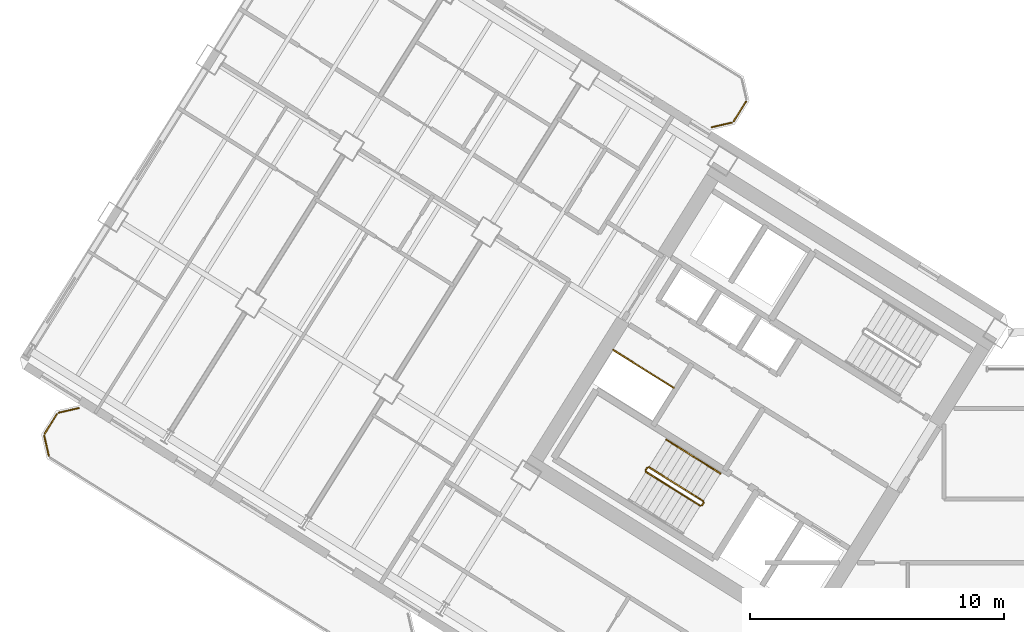
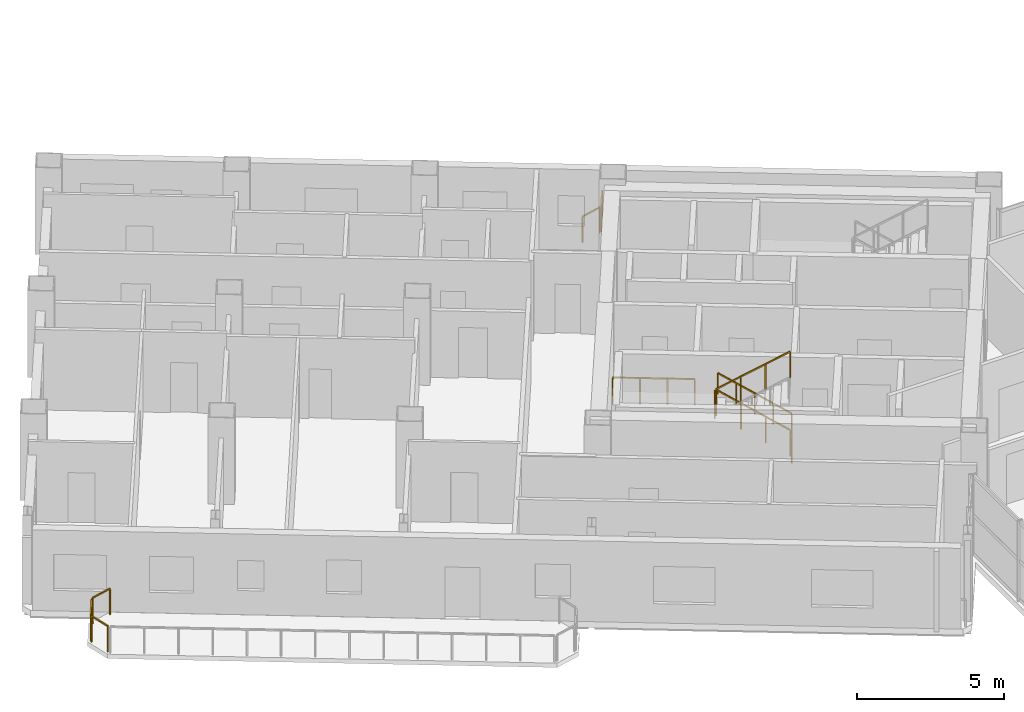
# One storey, part 23 of 25: 12 railings.
"""IFC4 building model written with IfcOpenShell, lengths in metres."""

from ifc_helpers import new_model, si_unit, direction, frame, origin, origin_2d, place, context, subcontext, project, spatial, rectangle, extrude, source, transform, mapped, material, type_object, element, save


model = new_model("IFC4")

# Units and contexts
model_context = context("Model", 3, precision=1e-05, world=origin(), true_north=direction((0.0, 1.0)))
body_context = subcontext(model_context, "Body", "Model", "MODEL_VIEW")
ifc_project = project(units=[si_unit("LENGTHUNIT", "METRE"), si_unit("AREAUNIT", "SQUARE_METRE"), si_unit("VOLUMEUNIT", "CUBIC_METRE"), si_unit("PLANEANGLEUNIT", "RADIAN"), si_unit("MASSUNIT", "GRAM", prefix="KILO")], contexts=[model_context])

# Site, building, storey
site_placement = place(None, origin())
site = spatial("IfcSite", under=ifc_project, at=site_placement, CompositionType="ELEMENT")
building_placement = place(site_placement, origin())
building = spatial("IfcBuilding", under=site, at=building_placement, Name="Tlacorven Tower", CompositionType="ELEMENT")
storey_placement = place(building_placement, frame((0.0, 0.0, 162.300048828125)))
storey = spatial("IfcBuildingStorey", under=building, at=storey_placement, Name="L41", CompositionType="ELEMENT", Elevation=162.300048828125)

# Railings
ifc_material = material(Name="Aluminium and painted steel balustrade", Category="steel")
railing_type_1 = type_object("IfcRailingType", Name="RL-GRD-1100", PredefinedType="GUARDRAIL", material=ifc_material)
shared_shape_1 = source(origin(), body_context, "Body", "SweptSolid", [
    extrude(rectangle(XDim=0.048095703125, YDim=0.048095703125, at=origin_2d()), frame((0.0, 0.0, 1.076171875), z_axis=(-0.848091358275, 0.529850024081, 0.0), x_axis=(-0.529850024081, -0.848091358275, 0.0)), (0.0, 0.0, 1.0), 2.800048828125),
    extrude(rectangle(XDim=0.0419921875, YDim=0.0419921875, at=origin_2d()), origin(), (0.0, 0.0, 1.0), 1.052001953125),
    extrude(rectangle(XDim=0.0419921875, YDim=0.0419921875, at=origin_2d()), frame((-0.79150390625, 0.49462890625, 0.0)), (0.0, 0.0, 1.0), 1.052001953125),
    extrude(rectangle(XDim=0.0419921875, YDim=0.0419921875, at=origin_2d()), frame((-1.583251953125, 0.989013671875, 0.0)), (0.0, 0.0, 1.0), 1.052001953125),
    extrude(rectangle(XDim=0.0419921875, YDim=0.0419921875, at=origin_2d()), frame((-2.374755859375, 1.483642578125, 0.0)), (0.0, 0.0, 1.0), 1.052001953125),
])
railing_1_placement = place(storey_placement, frame((27.9912109375, 22.32080078125, 0.0)))
element("IfcRailing", 1, at=railing_1_placement, inside=storey, type_object=railing_type_1, Name="L41 Electrical Riser W Shaft Guard 1", PredefinedType="GUARDRAIL", context=body_context, shape_type="MappedRepresentation", body=[
    mapped(shared_shape_1, transform((0.0, 0.0, 0.0), scale=1.0)),
])
railing_type_2 = type_object("IfcRailingType", Name="RL-BAL-1100", PredefinedType="BALUSTRADE", material=ifc_material)
shared_shape_2 = source(origin(), body_context, "Body", "SweptSolid", [
    extrude(rectangle(XDim=0.048095703125, YDim=0.048095703125, at=origin_2d()), frame((0.0, 0.0, 1.076171875), z_axis=(-0.52987865805, -0.848073468364, 0.0), x_axis=(0.848073468364, -0.52987865805, 0.0)), (0.0, 0.0, 1.0), 0.912353515625),
    extrude(rectangle(XDim=0.0419921875, YDim=0.0419921875, at=origin_2d()), origin(), (0.0, 0.0, 1.0), 1.052001953125),
    extrude(rectangle(XDim=0.0419921875, YDim=0.0419921875, at=origin_2d()), frame((-0.4833984375, -0.773681640625, 0.0)), (0.0, 0.0, 1.0), 1.052001953125),
])
railing_2_placement = place(storey_placement, frame((30.845947265625, 33.588623046875, 0.0)))
element("IfcRailing", 2, at=railing_2_placement, inside=storey, type_object=railing_type_2, Name="BAL-L41-W-IN Guard Railing 2", PredefinedType="BALUSTRADE", context=body_context, shape_type="MappedRepresentation", body=[
    mapped(shared_shape_2, transform((0.0, 0.0, 0.0), scale=1.0)),
])
shared_shape_3 = source(origin(), body_context, "Body", "SweptSolid", [
    extrude(rectangle(XDim=0.048095703125, YDim=0.048095703125, at=origin_2d()), frame((0.0, 0.0, 1.076171875), z_axis=(-0.225058334816, 0.974345290916, 0.0), x_axis=(-0.974345290916, -0.225058334816, 0.0)), (0.0, 0.0, 1.0), 0.80712890625),
    extrude(rectangle(XDim=0.0419921875, YDim=0.0419921875, at=origin_2d()), origin(), (0.0, 0.0, 1.0), 1.052001953125),
    extrude(rectangle(XDim=0.0419921875, YDim=0.0419921875, at=origin_2d()), frame((-0.181640625, 0.786376953125, 0.0)), (0.0, 0.0, 1.0), 1.052001953125),
])
railing_3_placement = place(storey_placement, frame((3.380859375, 19.62841796875, 0.0)))
element("IfcRailing", 3, at=railing_3_placement, inside=storey, type_object=railing_type_2, Name="BAL-L41-W-OUT Guard Railing 5", PredefinedType="BALUSTRADE", context=body_context, shape_type="MappedRepresentation", body=[
    mapped(shared_shape_3, transform((0.0, 0.0, 0.0), scale=1.0)),
])
shared_shape_4 = source(origin(), body_context, "Body", "SweptSolid", [
    extrude(rectangle(XDim=0.048095703125, YDim=0.048095703125, at=origin_2d()), frame((0.0, 0.0, 1.076171875), z_axis=(0.52987865805, 0.848073468364, 0.0), x_axis=(-0.848073468364, 0.52987865805, 0.0)), (0.0, 0.0, 1.0), 0.912353515625),
    extrude(rectangle(XDim=0.0419921875, YDim=0.0419921875, at=origin_2d()), origin(), (0.0, 0.0, 1.0), 1.052001953125),
    extrude(rectangle(XDim=0.0419921875, YDim=0.0419921875, at=origin_2d()), frame((0.4833984375, 0.773681640625, 0.0)), (0.0, 0.0, 1.0), 1.052001953125),
])
railing_4_placement = place(storey_placement, frame((3.214599609375, 20.505859375, 0.0)))
element("IfcRailing", 4, at=railing_4_placement, inside=storey, type_object=railing_type_2, Name="BAL-L41-W-OUT Guard Railing 6", PredefinedType="BALUSTRADE", context=body_context, shape_type="MappedRepresentation", body=[
    mapped(shared_shape_4, transform((0.0, 0.0, 0.0), scale=1.0)),
])
shared_shape_5 = source(origin(), body_context, "Body", "SweptSolid", [
    extrude(rectangle(XDim=0.048095703125, YDim=0.048095703125, at=origin_2d()), frame((0.0, 0.0, 1.076171875), z_axis=(0.974345290916, 0.225058334816, 0.0), x_axis=(-0.225058334816, 0.974345290916, 0.0)), (0.0, 0.0, 1.0), 0.80712890625),
    extrude(rectangle(XDim=0.0419921875, YDim=0.0419921875, at=origin_2d()), origin(), (0.0, 0.0, 1.0), 1.052001953125),
    extrude(rectangle(XDim=0.0419921875, YDim=0.0419921875, at=origin_2d()), frame((0.786376953125, 0.181640625, 0.0)), (0.0, 0.0, 1.0), 1.052001953125),
])
railing_5_placement = place(storey_placement, frame((3.773193359375, 21.3330078125, 0.0)))
element("IfcRailing", 5, at=railing_5_placement, inside=storey, type_object=railing_type_2, Name="BAL-L41-W-OUT Guard Railing 7", PredefinedType="BALUSTRADE", context=body_context, shape_type="MappedRepresentation", body=[
    mapped(shared_shape_5, transform((0.0, 0.0, 0.0), scale=1.0)),
])
shared_shape_6 = source(origin(), body_context, "Body", "SweptSolid", [
    extrude(rectangle(XDim=0.048095703125, YDim=0.048095703125, at=origin_2d()), frame((0.0, 0.0, 1.076171875), z_axis=(-0.974345290916, -0.225058334816, 0.0), x_axis=(0.225058334816, -0.974345290916, 0.0)), (0.0, 0.0, 1.0), 0.80712890625),
    extrude(rectangle(XDim=0.0419921875, YDim=0.0419921875, at=origin_2d()), origin(), (0.0, 0.0, 1.0), 1.052001953125),
    extrude(rectangle(XDim=0.0419921875, YDim=0.0419921875, at=origin_2d()), frame((-0.786376953125, -0.181640625, 0.0)), (0.0, 0.0, 1.0), 1.052001953125),
])
railing_6_placement = place(storey_placement, frame((30.287353515625, 32.761474609375, 0.0)))
element("IfcRailing", 6, at=railing_6_placement, inside=storey, type_object=railing_type_2, Name="BAL-L41-W-IN Guard Railing 3", PredefinedType="BALUSTRADE", context=body_context, shape_type="MappedRepresentation", body=[
    mapped(shared_shape_6, transform((0.0, 0.0, 0.0), scale=1.0)),
])
shared_shape_7 = source(origin(), body_context, "Body", "SweptSolid", [
    extrude(rectangle(XDim=0.048095703125, YDim=0.048095703125, at=origin_2d()), frame((0.0, 0.0, 1.076171875), z_axis=(-0.529084052582, -0.848569422795, 0.0), x_axis=(0.848569422795, -0.529084052582, 0.0)), (0.0, 0.0, 1.0), 0.119873046875),
    extrude(rectangle(XDim=0.0419921875, YDim=0.0419921875, at=origin_2d()), origin(), (0.0, 0.0, 1.0), 1.052001953125),
    extrude(rectangle(XDim=0.0419921875, YDim=0.0419921875, at=origin_2d()), frame((-0.0634765625, -0.101806640625, 0.0)), (0.0, 0.0, 1.0), 1.052001953125),
])
railing_7_placement = place(storey_placement, frame((29.176513671875, 17.782958984375, 0.0)))
element("IfcRailing", 7, at=railing_7_placement, inside=storey, type_object=railing_type_1, Name="L41 ST-W1 stair guard 4", PredefinedType="GUARDRAIL", context=body_context, shape_type="MappedRepresentation", body=[
    mapped(shared_shape_7, transform((0.0, 0.0, 0.0), scale=1.0)),
])
shared_shape_8 = source(origin(), body_context, "Body", "SweptSolid", [
    extrude(rectangle(XDim=0.048095703125, YDim=0.048095703125, at=origin_2d()), frame((0.0, 0.0, 1.076171875), z_axis=(-0.713319727316, 0.445773895627, 0.540796265334), x_axis=(-0.529955395941, -0.84802551749, 0.0)), (0.0, 0.0, 1.0), 2.995849609375),
    extrude(rectangle(XDim=0.0419921875, YDim=0.0419921875, at=origin_2d()), origin(), (0.0, 0.0, 1.0), 1.052001953125),
    extrude(rectangle(XDim=0.0419921875, YDim=0.0419921875, at=origin_2d()), frame((-0.71240234375, 0.445068359375, 0.5400390625)), (0.0, 0.0, 1.0), 1.052001953125),
    extrude(rectangle(XDim=0.0419921875, YDim=0.0419921875, at=origin_2d()), frame((-1.424560546875, 0.890380859375, 1.080078125)), (0.0, 0.0, 1.0), 1.052001953125),
    extrude(rectangle(XDim=0.0419921875, YDim=0.0419921875, at=origin_2d()), frame((-2.136962890625, 1.33544921875, 1.6201171875)), (0.0, 0.0, 1.0), 1.052001953125),
])
railing_8_placement = place(storey_placement, frame((29.16064453125, 17.851806640625, 0.179931640625)))
element("IfcRailing", 8, at=railing_8_placement, inside=storey, type_object=railing_type_1, Name="L41 ST-W1 stair guard 1", PredefinedType="GUARDRAIL", context=body_context, shape_type="MappedRepresentation", body=[
    mapped(shared_shape_8, transform((0.0, 0.0, 0.0), scale=1.0)),
])
shared_shape_9 = source(origin(), body_context, "Body", "SweptSolid", [
    extrude(rectangle(XDim=0.048095703125, YDim=0.048095703125, at=origin_2d()), frame((0.0, 0.0, 1.076171875), z_axis=(-0.530546985787, -0.847655529016, 0.0), x_axis=(0.847655529016, -0.530546985787, 0.0)), (0.0, 0.0, 1.0), 0.1201171875),
    extrude(rectangle(XDim=0.0419921875, YDim=0.0419921875, at=origin_2d()), origin(), (0.0, 0.0, 1.0), 1.052001953125),
    extrude(rectangle(XDim=0.0419921875, YDim=0.0419921875, at=origin_2d()), frame((-0.063720703125, -0.101806640625, 0.0)), (0.0, 0.0, 1.0), 1.052001953125),
])
railing_9_placement = place(storey_placement, frame((26.954833984375, 19.17138671875, 1.800048828125)))
element("IfcRailing", 9, at=railing_9_placement, inside=storey, type_object=railing_type_1, Name="L41 ST-W1 stair guard 2", PredefinedType="GUARDRAIL", context=body_context, shape_type="MappedRepresentation", body=[
    mapped(shared_shape_9, transform((0.0, 0.0, 0.0), scale=1.0)),
])
railing_type_3 = type_object("IfcRailingType", Name="RL-HND-0900", PredefinedType="HANDRAIL", material=ifc_material)
shared_shape_10 = source(origin(), body_context, "Body", "SweptSolid", [
    extrude(rectangle(XDim=0.048095703125, YDim=0.048095703125, at=origin_2d()), frame((0.0, 0.0, 0.8759765625), z_axis=(-0.713359751793, 0.4457479829, 0.540764828981), x_axis=(-0.529911857636, -0.848052724267, 0.0)), (0.0, 0.0, 1.0), 1.498046875),
    extrude(rectangle(XDim=0.0419921875, YDim=0.0419921875, at=origin_2d()), origin(), (0.0, 0.0, 1.0), 0.851806640625),
    extrude(rectangle(XDim=0.0419921875, YDim=0.0419921875, at=origin_2d()), frame((-0.5341796875, 0.333984375, 0.405029296875)), (0.0, 0.0, 1.0), 0.851806640625),
    extrude(rectangle(XDim=0.0419921875, YDim=0.0419921875, at=origin_2d()), frame((-1.068603515625, 0.667724609375, 0.81005859375)), (0.0, 0.0, 1.0), 0.851806640625),
])
for number, where, name in (
    (10, (29.839111328125, 18.937255859375, 0.179931640625), "L41 ST-W1 stair handrail 1"),
    (11, (28.7705078125, 19.60498046875, 0.989990234375), "L41 ST-W1 stair handrail 2"),
):
    element("IfcRailing", number, at=place(storey_placement, frame(where)), inside=storey, type_object=railing_type_3, Name=name, PredefinedType="HANDRAIL", context=body_context, shape_type="MappedRepresentation", body=[
        mapped(shared_shape_10, transform((0.0, 0.0, 0.0), scale=1.0)),
    ])
shared_shape_11 = source(origin(), body_context, "Body", "SweptSolid", [
    extrude(rectangle(XDim=0.048095703125, YDim=0.048095703125, at=origin_2d()), frame((0.0, 0.0, 1.076171875), z_axis=(0.71339118691, -0.44576762536, 0.540707165313), x_axis=(0.529911857636, 0.848052724267, 0.0)), (0.0, 0.0, 1.0), 2.995849609375),
    extrude(rectangle(XDim=0.0419921875, YDim=0.0419921875, at=origin_2d()), origin(), (0.0, 0.0, 1.0), 1.052001953125),
    extrude(rectangle(XDim=0.0419921875, YDim=0.0419921875, at=origin_2d()), frame((0.71240234375, -0.445068359375, 0.5400390625)), (0.0, 0.0, 1.0), 1.052001953125),
    extrude(rectangle(XDim=0.0419921875, YDim=0.0419921875, at=origin_2d()), frame((1.4248046875, -0.890380859375, 1.079833984375)), (0.0, 0.0, 1.0), 1.052001953125),
    extrude(rectangle(XDim=0.0419921875, YDim=0.0419921875, at=origin_2d()), frame((2.13720703125, -1.33544921875, 1.619873046875)), (0.0, 0.0, 1.0), 1.052001953125),
])
railing_10_placement = place(storey_placement, frame((26.906982421875, 19.000732421875, 1.97998046875)))
element("IfcRailing", 12, at=railing_10_placement, inside=storey, type_object=railing_type_1, Name="L41 ST-W1 stair guard 3", PredefinedType="GUARDRAIL", context=body_context, shape_type="MappedRepresentation", body=[
    mapped(shared_shape_11, transform((0.0, 0.0, 0.0), scale=1.0)),
])

save(model, "model.ifc")
